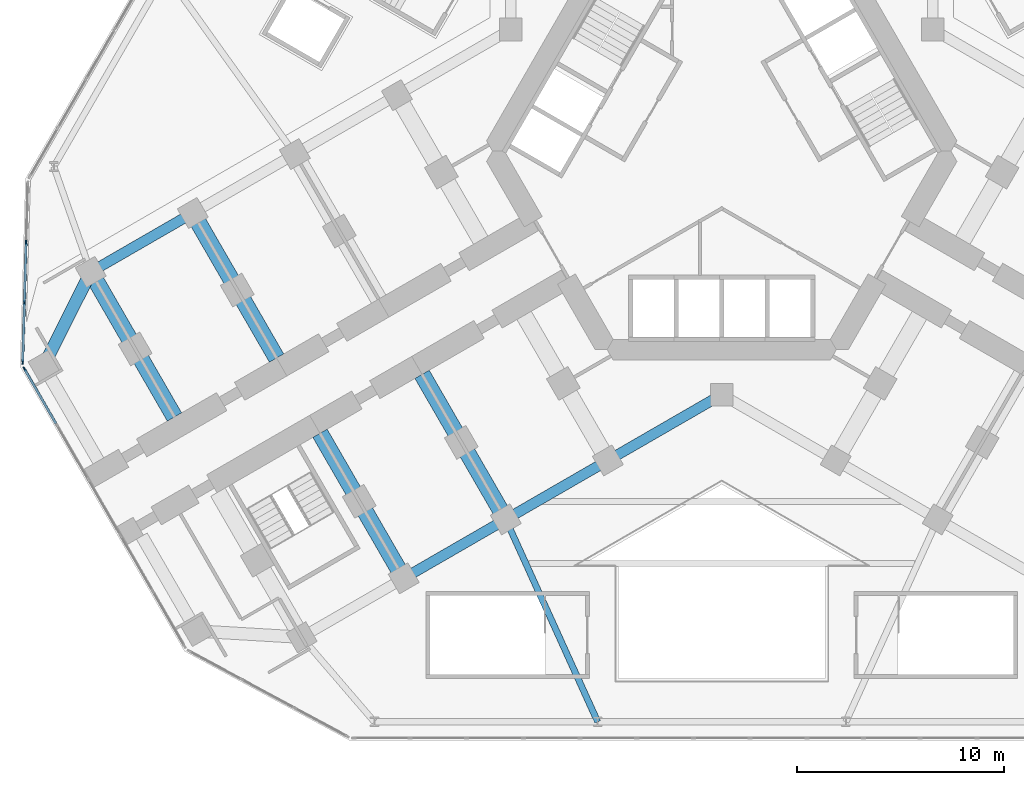
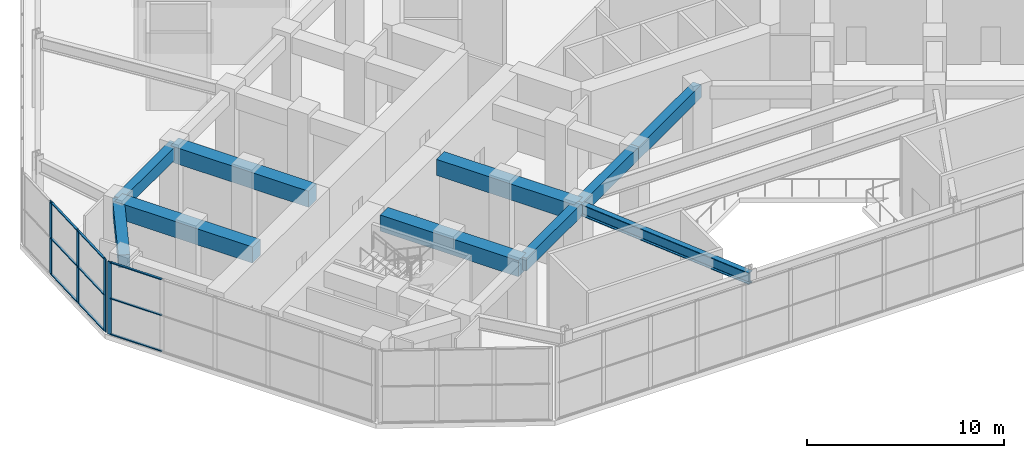
# One storey, part 3 of 22: 13 members, 10 beams, 2 elements without a shape of their own.
"""IFC4 building model written with IfcOpenShell, lengths in metres."""

from ifc_helpers import new_model, si_unit, direction, frame, origin, origin_2d, place, context, subcontext, project, spatial, rectangle, i_section, extrude, material, material_profile, profile_set, type_object, element, aggregate, save


model = new_model("IFC4")

# Units and contexts
model_context = context("Model", 3, precision=1e-05, world=origin(), true_north=direction((0.0, 1.0)))
body_context = subcontext(model_context, "Body", "Model", "MODEL_VIEW")
ifc_project = project(units=[si_unit("LENGTHUNIT", "METRE"), si_unit("AREAUNIT", "SQUARE_METRE"), si_unit("VOLUMEUNIT", "CUBIC_METRE"), si_unit("PLANEANGLEUNIT", "RADIAN"), si_unit("MASSUNIT", "GRAM", prefix="KILO")], contexts=[model_context])

# Site, building, storey
site_placement = place(None, origin())
site = spatial("IfcSite", under=ifc_project, at=site_placement, CompositionType="ELEMENT")
building_placement = place(site_placement, origin())
building = spatial("IfcBuilding", under=site, at=building_placement, Name="Kosmar Iwan School Tower", CompositionType="ELEMENT")
storey_placement = place(building_placement, frame((0.0, 0.0, 15.60009765625)))
storey = spatial("IfcBuildingStorey", under=building, at=storey_placement, Name="L03", CompositionType="ELEMENT", Elevation=15.60009765625)

# Beam
ifc_material_1 = material(Name="Steel S355", Category="steel")
ifc_material_profile_1 = material_profile(ifc_material_1, i_section(OverallWidth=0.303955078125, OverallDepth=0.716064453125, WebThickness=0.02099609375, FlangeThickness=0.0400390625, FilletRadius=0.027099609375, at=origin_2d()), Name="HE 700 M")
ifc_profile_set_1 = profile_set([ifc_material_profile_1], Name="Steel S355")
beam_type_1 = type_object("IfcBeamType", Name="Play deck girder HE 700 M", PredefinedType="BEAM", material=ifc_profile_set_1)
beam_1_placement = place(storey_placement, frame((-6.0, -27.60009765625, 4.141845703125), z_axis=(-0.413361578077, 0.910566969404, 0.0), x_axis=(-0.910566969404, -0.413361578077, 0.0)))
element("IfcBeam", 1, at=beam_1_placement, inside=storey, type_object=beam_type_1, Name="Infill girder BC3", PredefinedType="BEAM", context=body_context, shape_type="SweptSolid", body=[
    extrude(i_section(OverallWidth=0.303955078125, OverallDepth=0.716064453125, WebThickness=0.02099609375, FlangeThickness=0.0400390625, FilletRadius=0.027099609375, at=origin_2d()), origin(), (0.0, 0.0, 1.0), 10.75341796875),
])

# Curtain wall, members
ifc_material_2 = material(Name="Dark glass in black aluminium frame", Category="aluminium")
curtain_wall_type_1 = type_object("IfcCurtainWallType", Name="Podium curtain wall", PredefinedType="USERDEFINED", material=ifc_material_2)
curtain_wall_1_placement = place(storey_placement, origin())
curtain_wall_1 = element("IfcCurtainWall", 2, at=curtain_wall_1_placement, inside=storey, type_object=curtain_wall_type_1, Name="Curtain wall L03-F09", ObjectType="STICK CURTAIN WALL", PredefinedType="USERDEFINED")
ifc_material_3 = material(Name="Black anodised aluminium", Category="aluminium")
ifc_material_profile_2 = material_profile(ifc_material_3, rectangle(XDim=0.06494140625, YDim=0.219970703125, at=origin_2d()), Name="MULLION 65x220")
ifc_profile_set_2 = profile_set([ifc_material_profile_2], Name="Black anodised aluminium")
member_type_1 = type_object("IfcMemberType", Name="Podium mullion 65x220", PredefinedType="MULLION", material=ifc_profile_set_2)
member_1_placement = place(storey_placement, frame((-33.644287109375, -4.4267578125, 0.0), z_axis=(0.0, 0.0, 1.0), x_axis=(0.999597032017, -0.028386151255, 0.0)))
member_1 = element("IfcMember", 3, at=member_1_placement, type_object=member_type_1, Name="CW3 mullion 2", PredefinedType="MULLION", context=body_context, shape_type="SweptSolid", body=[
    extrude(rectangle(XDim=0.06494140625, YDim=0.219970703125, at=origin_2d()), origin(), (0.0, 0.0, 1.0), 4.5),
])
member_2_placement = place(storey_placement, frame((-33.726806640625, -7.330078125, 0.0), z_axis=(0.0, 0.0, 1.0), x_axis=(0.999597032017, -0.028386151255, 0.0)))
member_2 = element("IfcMember", 4, at=member_2_placement, type_object=member_type_1, Name="CW3 mullion 3", PredefinedType="MULLION", context=body_context, shape_type="SweptSolid", body=[
    extrude(rectangle(XDim=0.06494140625, YDim=0.219970703125, at=origin_2d()), origin(), (0.0, 0.0, 1.0), 4.5),
])
member_3_placement = place(storey_placement, frame((-33.808349609375, -10.200927734375, 0.0), z_axis=(0.0, 0.0, 1.0), x_axis=(0.999597032017, -0.028386151255, 0.0)))
member_3 = element("IfcMember", 5, at=member_3_placement, type_object=member_type_1, Name="CW3 mullion 4", PredefinedType="MULLION", context=body_context, shape_type="SweptSolid", body=[
    extrude(rectangle(XDim=0.06494140625, YDim=0.219970703125, at=origin_2d()), origin(), (0.0, 0.0, 1.0), 4.5),
])

# Curtain wall, member
ifc_material_4 = material(Name="Dark glass in black aluminium frame", Category="aluminium")
curtain_wall_type_2 = type_object("IfcCurtainWallType", Name="Tower curtain wall dark glass", PredefinedType="USERDEFINED", material=ifc_material_4)
curtain_wall_2_placement = place(storey_placement, origin())
curtain_wall_2 = element("IfcCurtainWall", 6, at=curtain_wall_2_placement, inside=storey, type_object=curtain_wall_type_2, Name="Curtain wall L03-F10", ObjectType="UNITISED CURTAIN WALL", PredefinedType="USERDEFINED")
member_4_placement = place(storey_placement, frame((-33.72216796875, -10.541259765625, 0.0), z_axis=(0.0, 0.0, 1.0), x_axis=(0.866025395669, 0.500000014057, 0.0)))
member_4 = element("IfcMember", 7, at=member_4_placement, type_object=member_type_1, Name="CW1 mullion 1", PredefinedType="MULLION", context=body_context, shape_type="SweptSolid", body=[
    extrude(rectangle(XDim=0.06494140625, YDim=0.219970703125, at=origin_2d()), origin(), (0.0, 0.0, 1.0), 4.5),
])

# Beams
ifc_material_5 = material(Name="Concrete C50/60", Category="concrete")
ifc_material_profile_3 = material_profile(ifc_material_5, rectangle(XDim=0.5, YDim=0.800048828125, at=origin_2d()), Name="RC 500x800")
ifc_profile_set_3 = profile_set([ifc_material_profile_3], Name="Concrete C50/60")
beam_type_2 = type_object("IfcBeamType", Name="RC edge beam 500x800", PredefinedType="BEAM", material=ifc_profile_set_3)
beam_2_placement = place(storey_placement, frame((0.0, -11.77783203125, 4.099853515625), z_axis=(-0.866014293216, -0.500019243575, 0.0), x_axis=(0.500019243575, -0.866014293216, 0.0)))
element("IfcBeam", 8, at=beam_2_placement, inside=storey, type_object=beam_type_2, Name="Edge beam BL1", PredefinedType="BEAM", context=body_context, shape_type="SweptSolid", body=[
    extrude(rectangle(XDim=0.5, YDim=0.800048828125, at=origin_2d()), origin(), (0.0, 0.0, 1.0), 6.361083984375),
])
beam_3_placement = place(storey_placement, frame((-5.5087890625, -14.95849609375, 4.099853515625), z_axis=(-0.866033658841, -0.49998570155, 0.0), x_axis=(0.49998570155, -0.866033658841, 0.0)))
element("IfcBeam", 9, at=beam_3_placement, inside=storey, type_object=beam_type_2, Name="Edge beam BL2", PredefinedType="BEAM", context=body_context, shape_type="SweptSolid", body=[
    extrude(rectangle(XDim=0.5, YDim=0.800048828125, at=origin_2d()), origin(), (0.0, 0.0, 1.0), 5.699951171875),
])
beam_4_placement = place(storey_placement, frame((-10.445068359375, -17.808349609375, 4.099853515625), z_axis=(-0.866025820012, -0.499999279071, 0.0), x_axis=(0.499999279071, -0.866025820012, 0.0)))
element("IfcBeam", 10, at=beam_4_placement, inside=storey, type_object=beam_type_2, Name="Edge beam BL3", PredefinedType="BEAM", context=body_context, shape_type="SweptSolid", body=[
    extrude(rectangle(XDim=0.5, YDim=0.800048828125, at=origin_2d()), origin(), (0.0, 0.0, 1.0), 5.7001953125),
])
beam_5_placement = place(storey_placement, frame((-25.58154296875, -2.991455078125, 4.099853515625), z_axis=(-0.866015111908, -0.50001782563, 0.0), x_axis=(0.50001782563, -0.866015111908, 0.0)))
element("IfcBeam", 11, at=beam_5_placement, inside=storey, type_object=beam_type_2, Name="Edge beam BR4", PredefinedType="BEAM", context=body_context, shape_type="SweptSolid", body=[
    extrude(rectangle(XDim=0.5, YDim=0.800048828125, at=origin_2d()), origin(), (0.0, 0.0, 1.0), 5.699951171875),
])
ifc_material_6 = material(Name="Concrete C50/60", Category="concrete")
ifc_material_profile_4 = material_profile(ifc_material_6, rectangle(XDim=0.60009765625, YDim=0.800048828125, at=origin_2d()), Name="RC 600x800")
ifc_profile_set_4 = profile_set([ifc_material_profile_4], Name="Concrete C50/60")
beam_type_3 = type_object("IfcBeamType", Name="RC tip beam 600x800", PredefinedType="BEAM", material=ifc_profile_set_4)
beam_6_placement = place(storey_placement, frame((-30.517822265625, -5.841552734375, 4.099853515625), z_axis=(-0.44809604203, -0.893985423325, 0.0), x_axis=(0.893985423325, -0.44809604203, 0.0)))
element("IfcBeam", 12, at=beam_6_placement, inside=storey, type_object=beam_type_3, Name="Tip beam BR", PredefinedType="BEAM", context=body_context, shape_type="SweptSolid", body=[
    extrude(rectangle(XDim=0.60009765625, YDim=0.800048828125, at=origin_2d()), origin(), (0.0, 0.0, 1.0), 5.08935546875),
])
ifc_material_7 = material(Name="Concrete C50/60", Category="concrete")
ifc_material_profile_5 = material_profile(ifc_material_7, rectangle(XDim=0.800048828125, YDim=1.0, at=origin_2d()), Name="RC 800x1000")
ifc_profile_set_5 = profile_set([ifc_material_profile_5], Name="Concrete C50/60")
beam_type_4 = type_object("IfcBeamType", Name="RC transverse beam 800x1000", PredefinedType="BEAM", material=ifc_profile_set_5)
beam_7_placement = place(storey_placement, frame((-10.445068359375, -17.808349609375, 4.0), z_axis=(-0.500012932018, 0.866017937352, 0.0), x_axis=(-0.866017937352, -0.500012932018, 0.0)))
element("IfcBeam", 13, at=beam_7_placement, inside=storey, type_object=beam_type_4, Name="Transverse beam BL2", PredefinedType="BEAM", context=body_context, shape_type="SweptSolid", body=[
    extrude(rectangle(XDim=0.800048828125, YDim=1.0, at=origin_2d()), origin(), (0.0, 0.0, 1.0), 8.099853515625),
])
for number, where, z_axis, x_axis, name in (
    (14, (-15.381591796875, -20.658447265625, 4.0), (-0.499977274689, 0.866038523851, 0.0), (-0.866038523851, -0.499977274689, 0.0), "Transverse beam BL3"),
    (15, (-25.58154296875, -2.991455078125, 4.0), (0.499999880539, -0.866025472755, 0.0), (0.866025472755, 0.499999880539, 0.0), "Transverse beam BR3"),
    (16, (-30.517822265625, -5.841552734375, 4.0), (0.499999880539, -0.866025472755, 0.0), (0.866025472755, 0.499999880539, 0.0), "Transverse beam BR4"),
):
    element("IfcBeam", number, at=place(storey_placement, frame(where, z_axis=z_axis, x_axis=x_axis)), inside=storey, type_object=beam_type_4, Name=name, PredefinedType="BEAM", context=body_context, shape_type="SweptSolid", body=[
        extrude(rectangle(XDim=0.800048828125, YDim=1.0, at=origin_2d()), origin(), (0.0, 0.0, 1.0), 8.10009765625),
    ])

# Member
ifc_material_8 = material(Name="Black anodised aluminium", Category="aluminium")
ifc_material_profile_6 = material_profile(ifc_material_8, rectangle(XDim=0.1201171875, YDim=0.06005859375, at=origin_2d()), Name="TRANSOM 60x120")
ifc_profile_set_6 = profile_set([ifc_material_profile_6], Name="Black anodised aluminium")
member_type_2 = type_object("IfcMemberType", Name="Transom 60x120", PredefinedType="USERDEFINED", material=ifc_profile_set_6)
member_5_placement = place(storey_placement, frame((-33.645263671875, -4.459228515625, 0.02978515625), z_axis=(-0.028373227391, -0.99959739894, 0.0), x_axis=(0.99959739894, -0.028373227391, 0.0)))
member_5 = element("IfcMember", 17, at=member_5_placement, type_object=member_type_2, Name="CW3 transom 2.1", ObjectType="TRANSOM", PredefinedType="USERDEFINED", context=body_context, shape_type="SweptSolid", body=[
    extrude(rectangle(XDim=0.1201171875, YDim=0.06005859375, at=origin_2d()), origin(), (0.0, 0.0, 1.0), 2.839599609375),
])

member_6_placement = place(storey_placement, frame((-33.645263671875, -4.459228515625, 2.25), z_axis=(-0.028373227391, -0.99959739894, 0.0), x_axis=(0.99959739894, -0.028373227391, 0.0)))
member_6 = element("IfcMember", 18, at=member_6_placement, type_object=member_type_2, Name="CW3 transom 2.2", ObjectType="TRANSOM", PredefinedType="USERDEFINED", context=body_context, shape_type="SweptSolid", body=[
    extrude(rectangle(XDim=0.1201171875, YDim=0.06005859375, at=origin_2d()), origin(), (0.0, 0.0, 1.0), 2.839599609375),
])

member_7_placement = place(storey_placement, frame((-33.645263671875, -4.459228515625, 4.469970703125), z_axis=(-0.028373227391, -0.99959739894, 0.0), x_axis=(0.99959739894, -0.028373227391, 0.0)))
member_7 = element("IfcMember", 19, at=member_7_placement, type_object=member_type_2, Name="CW3 transom 2.3", ObjectType="TRANSOM", PredefinedType="USERDEFINED", context=body_context, shape_type="SweptSolid", body=[
    extrude(rectangle(XDim=0.1201171875, YDim=0.06005859375, at=origin_2d()), origin(), (0.0, 0.0, 1.0), 2.839599609375),
])

member_8_placement = place(storey_placement, frame((-33.727783203125, -7.362548828125, 0.02978515625), z_axis=(-0.028353687706, -0.999597953376, 0.0), x_axis=(0.999597953376, -0.028353687706, 0.0)))
member_8 = element("IfcMember", 20, at=member_8_placement, type_object=member_type_2, Name="CW3 transom 3.1", ObjectType="TRANSOM", PredefinedType="USERDEFINED", context=body_context, shape_type="SweptSolid", body=[
    extrude(rectangle(XDim=0.1201171875, YDim=0.06005859375, at=origin_2d()), origin(), (0.0, 0.0, 1.0), 2.80712890625),
])

member_9_placement = place(storey_placement, frame((-33.727783203125, -7.362548828125, 2.25), z_axis=(-0.028353687706, -0.999597953376, 0.0), x_axis=(0.999597953376, -0.028353687706, 0.0)))
member_9 = element("IfcMember", 21, at=member_9_placement, type_object=member_type_2, Name="CW3 transom 3.2", ObjectType="TRANSOM", PredefinedType="USERDEFINED", context=body_context, shape_type="SweptSolid", body=[
    extrude(rectangle(XDim=0.1201171875, YDim=0.06005859375, at=origin_2d()), origin(), (0.0, 0.0, 1.0), 2.80712890625),
])

member_10_placement = place(storey_placement, frame((-33.727783203125, -7.362548828125, 4.469970703125), z_axis=(-0.028353687706, -0.999597953376, 0.0), x_axis=(0.999597953376, -0.028353687706, 0.0)))
member_10 = element("IfcMember", 22, at=member_10_placement, type_object=member_type_2, Name="CW3 transom 3.3", ObjectType="TRANSOM", PredefinedType="USERDEFINED", context=body_context, shape_type="SweptSolid", body=[
    extrude(rectangle(XDim=0.1201171875, YDim=0.06005859375, at=origin_2d()), origin(), (0.0, 0.0, 1.0), 2.80712890625),
])

aggregate(curtain_wall_1, [member_1, member_2, member_3, member_5, member_6, member_7, member_8, member_9, member_10])

member_11_placement = place(storey_placement, frame((-33.7060546875, -10.5693359375, 0.02978515625), z_axis=(0.499970659234, -0.866042343021, 0.0), x_axis=(0.866042343021, 0.499970659234, 0.0)))
member_11 = element("IfcMember", 23, at=member_11_placement, type_object=member_type_2, Name="CW1 transom 1.1", ObjectType="TRANSOM", PredefinedType="USERDEFINED", context=body_context, shape_type="SweptSolid", body=[
    extrude(rectangle(XDim=0.1201171875, YDim=0.06005859375, at=origin_2d()), origin(), (0.0, 0.0, 1.0), 3.008544921875),
])

member_12_placement = place(storey_placement, frame((-33.7060546875, -10.5693359375, 2.25), z_axis=(0.499970659234, -0.866042343021, 0.0), x_axis=(0.866042343021, 0.499970659234, 0.0)))
member_12 = element("IfcMember", 24, at=member_12_placement, type_object=member_type_2, Name="CW1 transom 1.2", ObjectType="TRANSOM", PredefinedType="USERDEFINED", context=body_context, shape_type="SweptSolid", body=[
    extrude(rectangle(XDim=0.1201171875, YDim=0.06005859375, at=origin_2d()), origin(), (0.0, 0.0, 1.0), 3.008544921875),
])

member_13_placement = place(storey_placement, frame((-33.7060546875, -10.5693359375, 4.469970703125), z_axis=(0.499970659234, -0.866042343021, 0.0), x_axis=(0.866042343021, 0.499970659234, 0.0)))
member_13 = element("IfcMember", 25, at=member_13_placement, type_object=member_type_2, Name="CW1 transom 1.3", ObjectType="TRANSOM", PredefinedType="USERDEFINED", context=body_context, shape_type="SweptSolid", body=[
    extrude(rectangle(XDim=0.1201171875, YDim=0.06005859375, at=origin_2d()), origin(), (0.0, 0.0, 1.0), 3.008544921875),
])

aggregate(curtain_wall_2, [member_4, member_11, member_12, member_13])

save(model, "model.ifc")
